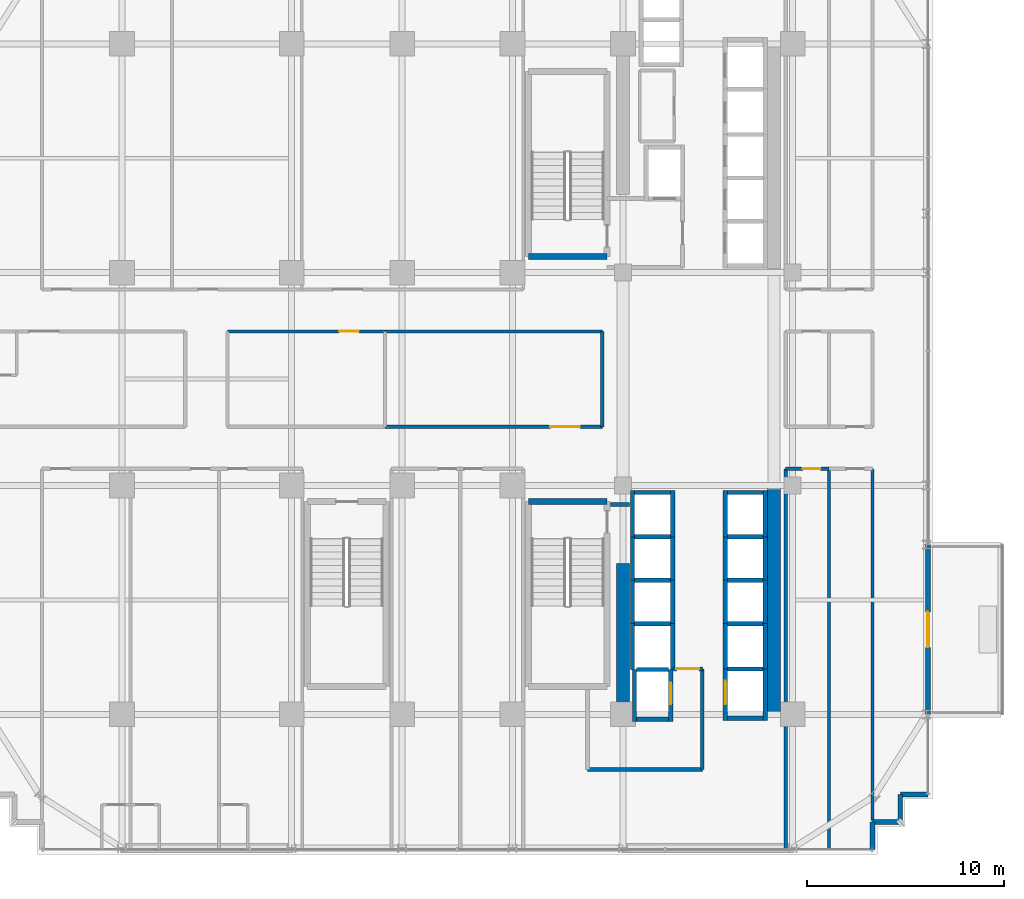
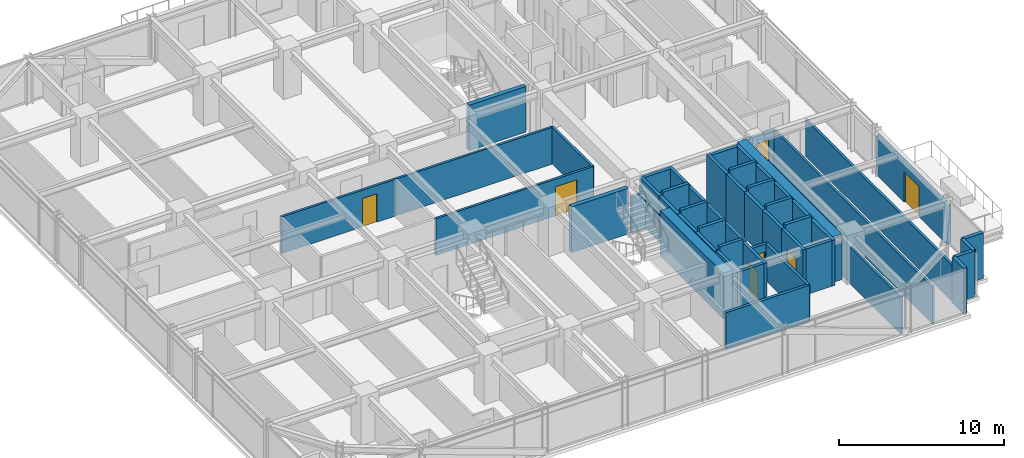
# One storey, part 34 of 41: 53 walls, 7 doors, 7 openings.
"""IFC4 building model written with IfcOpenShell, lengths in metres."""

from ifc_helpers import new_model, si_unit, direction, frame, frame_2d, origin, place, context, subcontext, project, spatial, rectangle, extrude, source, transform, mapped, material, layer, layer_set, type_object, element, fill, save


model = new_model("IFC4")

# Units and contexts
model_context = context("Model", 3, precision=1e-05, world=origin(), true_north=direction((0.0, 1.0)))
body_context = subcontext(model_context, "Body", "Model", "MODEL_VIEW")
ifc_project = project(units=[si_unit("LENGTHUNIT", "METRE"), si_unit("AREAUNIT", "SQUARE_METRE"), si_unit("VOLUMEUNIT", "CUBIC_METRE"), si_unit("PLANEANGLEUNIT", "RADIAN"), si_unit("MASSUNIT", "GRAM", prefix="KILO")], contexts=[model_context])

# Site, building, storey
site_placement = place(None, origin())
site = spatial("IfcSite", under=ifc_project, at=site_placement, CompositionType="ELEMENT")
building_placement = place(site_placement, origin())
building = spatial("IfcBuilding", under=site, at=building_placement, Name="Nahalor Promenade Grand Hotel", CompositionType="ELEMENT")
storey_placement = place(building_placement, frame((0.0, 0.0, 113.85009765625)))
storey = spatial("IfcBuildingStorey", under=building, at=storey_placement, Name="L28", CompositionType="ELEMENT", Elevation=113.85009765625)

# Walls
ifc_material_1 = material(Name="Concrete B-60 (C50/60)", Category="concrete")
ifc_layer_1 = layer(ifc_material_1, 0.64990234375)
ifc_layer_set_1 = layer_set([ifc_layer_1], Name="Concrete B-60 (C50/60)")
wall_type_1 = type_object("IfcWallType", Name="Wall-CoreShear-650", PredefinedType="SHEAR", material=ifc_layer_set_1)
shared_shape_1 = source(origin(), body_context, "Body", "SweptSolid", [
    extrude(rectangle(XDim=7.64990234375, YDim=0.64990234375, at=frame_2d((3.824951171875, 0.0))), origin(), (0.0, 0.0, 1.0), 3.3798828125),
])
wall_1_placement = place(storey_placement, frame((8.39990234375, -17.0, 0.0), z_axis=(0.0, 0.0, 1.0), x_axis=(0.0, 1.0, 0.0)))
element("IfcWall", 1, at=wall_1_placement, inside=storey, type_object=wall_type_1, Name="CWALL-L28-SW", PredefinedType="SHEAR", context=body_context, shape_type="MappedRepresentation", body=[
    mapped(shared_shape_1, transform((0.0, 0.0, 0.0), scale=1.0)),
])
shared_shape_2 = source(origin(), body_context, "Body", "SweptSolid", [
    extrude(rectangle(XDim=11.60009765625, YDim=0.64990234375, at=frame_2d((5.800048828125, 0.0))), origin(), (0.0, 0.0, 1.0), 3.3798828125),
])
wall_2_placement = place(storey_placement, frame((16.050048828125, -17.0, 0.0), z_axis=(0.0, 0.0, 1.0), x_axis=(0.0, 1.0, 0.0)))
element("IfcWall", 2, at=wall_2_placement, inside=storey, type_object=wall_type_1, Name="CWALL-L28-SE", PredefinedType="SHEAR", context=body_context, shape_type="MappedRepresentation", body=[
    mapped(shared_shape_2, transform((0.0, 0.0, 0.0), scale=1.0)),
])
ifc_material_2 = material(Name="Concrete B-50 (C40/50)", Category="concrete")
ifc_layer_2 = layer(ifc_material_2, 0.300048828125)
ifc_layer_set_2 = layer_set([ifc_layer_2], Name="Concrete B-50 (C40/50)")
wall_type_2 = type_object("IfcWallType", Name="Wall-ShaftShear-300", PredefinedType="SHEAR", material=ifc_layer_set_2)
shared_shape_3 = source(origin(), body_context, "Body", "SweptSolid", [
    extrude(rectangle(XDim=3.97998046875, YDim=0.300048828125, at=frame_2d((1.989990234375, 0.0))), origin(), (0.0, 0.0, 1.0), 3.3798828125),
])
for number, where, z_axis, x_axis, name in (
    (3, (3.610107421875, 6.2099609375, 0.0), (0.0, 0.0, 1.0), (1.0, 0.0, 0.0), "L28 Exit Stair ST1 Shaft Wall S"),
    (4, (3.610107421875, -6.2099609375, 0.0), (0.0, 0.0, 1.0), (1.0, 0.0, 0.0), "L28 Exit Stair ST2 Shaft Wall N"),
):
    element("IfcWall", number, at=place(storey_placement, frame(where, z_axis=z_axis, x_axis=x_axis)), inside=storey, type_object=wall_type_2, Name=name, PredefinedType="SHEAR", context=body_context, shape_type="MappedRepresentation", body=[
        mapped(shared_shape_3, transform((0.0, 0.0, 0.0), scale=1.0)),
    ])
ifc_layer_3 = layer(ifc_material_2, 0.219970703125)
ifc_layer_set_3 = layer_set([ifc_layer_3], Name="Concrete B-50 (C40/50)")
wall_type_3 = type_object("IfcWallType", Name="Wall-LiftShaft-220", PredefinedType="SHEAR", material=ifc_layer_set_3)
shared_shape_4 = source(origin(), body_context, "Body", "SweptSolid", [
    extrude(rectangle(XDim=1.820068359375, YDim=0.219970703125, at=frame_2d((0.91015625, 0.0))), origin(), (0.0, 0.0, 1.0), 3.64990234375),
])
for number, where, z_axis, x_axis, name in (
    (5, (13.68994140625, -8.0, 0.0), (0.0, 0.0, 1.0), (1.0, 0.0, 0.0), "L28 Lift PL6 Hoistway Wall N"),
    (6, (13.68994140625, -10.199951171875, 0.0), (0.0, 0.0, 1.0), (1.0, 0.0, 0.0), "L28 Lift PL7 Hoistway Wall N"),
    (7, (13.68994140625, -12.39990234375, 0.0), (0.0, 0.0, 1.0), (1.0, 0.0, 0.0), "L28 Lift PL8 Hoistway Wall N"),
    (8, (8.989990234375, -8.0, 0.0), (0.0, 0.0, 1.0), (1.0, 0.0, 0.0), "L28 Lift PL10 Hoistway Wall N"),
    (9, (8.989990234375, -10.199951171875, 0.0), (0.0, 0.0, 1.0), (1.0, 0.0, 0.0), "L28 Lift PL11 Hoistway Wall N"),
    (10, (8.989990234375, -12.39990234375, 0.0), (0.0, 0.0, 1.0), (1.0, 0.0, 0.0), "L28 Lift PL12 Hoistway Wall N"),
    (11, (13.68994140625, -14.699951171875, 0.0), (0.0, 0.0, 1.0), (1.0, 0.0, 0.0), "L28 Lift SV2 Hoistway Wall N"),
):
    element("IfcWall", number, at=place(storey_placement, frame(where, z_axis=z_axis, x_axis=x_axis)), inside=storey, type_object=wall_type_3, Name=name, PredefinedType="SHEAR", context=body_context, shape_type="MappedRepresentation", body=[
        mapped(shared_shape_4, transform((0.0, 0.0, 0.0), scale=1.0)),
    ])
shared_shape_5 = source(origin(), body_context, "Body", "SweptSolid", [
    extrude(rectangle(XDim=2.360107421875, YDim=0.219970703125, at=frame_2d((1.18017578125, 0.0))), origin(), (0.0, 0.0, 1.0), 3.3798828125),
])
for number, where, z_axis, x_axis, name in (
    (12, (13.580078125, -8.0, 0.0), (0.0, 0.0, 1.0), (0.0, 1.0, 0.0), "L28 Lift PL5 Hoistway Wall W"),
    (13, (15.6201171875, -8.0, 0.0), (0.0, 0.0, 1.0), (0.0, 1.0, 0.0), "L28 Lift PL5 Hoistway Wall E"),
    (14, (8.8798828125, -8.0, 0.0), (0.0, 0.0, 1.0), (0.0, 1.0, 0.0), "L28 Lift PL9 Hoistway Wall W"),
    (15, (10.919921875, -8.0, 0.0), (0.0, 0.0, 1.0), (0.0, 1.0, 0.0), "L28 Lift PL9 Hoistway Wall E"),
):
    element("IfcWall", number, at=place(storey_placement, frame(where, z_axis=z_axis, x_axis=x_axis)), inside=storey, type_object=wall_type_3, Name=name, PredefinedType="SHEAR", context=body_context, shape_type="MappedRepresentation", body=[
        mapped(shared_shape_5, transform((0.0, 0.0, 0.0), scale=1.0)),
    ])
shared_shape_6 = source(origin(), body_context, "Body", "SweptSolid", [
    extrude(rectangle(XDim=1.820068359375, YDim=0.219970703125, at=frame_2d((0.91015625, 0.0))), origin(), (0.0, 0.0, 1.0), 3.3798828125),
])
for number, where, z_axis, x_axis, name in (
    (16, (13.68994140625, -5.75, 0.0), (0.0, 0.0, 1.0), (1.0, 0.0, 0.0), "L28 Lift PL5 Hoistway Wall N"),
    (17, (8.989990234375, -5.75, 0.0), (0.0, 0.0, 1.0), (1.0, 0.0, 0.0), "L28 Lift PL9 Hoistway Wall N"),
    (18, (13.68994140625, -17.199951171875, 0.0), (0.0, 0.0, 1.0), (1.0, 0.0, 0.0), "L28 Lift SV2 Hoistway Wall S"),
):
    element("IfcWall", number, at=place(storey_placement, frame(where, z_axis=z_axis, x_axis=x_axis)), inside=storey, type_object=wall_type_3, Name=name, PredefinedType="SHEAR", context=body_context, shape_type="MappedRepresentation", body=[
        mapped(shared_shape_6, transform((0.0, 0.0, 0.0), scale=1.0)),
    ])
shared_shape_7 = source(origin(), body_context, "Body", "SweptSolid", [
    extrude(rectangle(XDim=2.199951171875, YDim=0.219970703125, at=frame_2d((1.10009765625, 0.0))), origin(), (0.0, 0.0, 1.0), 3.3798828125),
])
for number, where, z_axis, x_axis, name in (
    (19, (13.580078125, -10.199951171875, 0.0), (0.0, 0.0, 1.0), (0.0, 1.0, 0.0), "L28 Lift PL6 Hoistway Wall W"),
    (20, (15.6201171875, -10.199951171875, 0.0), (0.0, 0.0, 1.0), (0.0, 1.0, 0.0), "L28 Lift PL6 Hoistway Wall E"),
    (21, (13.580078125, -12.39990234375, 0.0), (0.0, 0.0, 1.0), (0.0, 1.0, 0.0), "L28 Lift PL7 Hoistway Wall W"),
    (22, (15.6201171875, -12.39990234375, 0.0), (0.0, 0.0, 1.0), (0.0, 1.0, 0.0), "L28 Lift PL7 Hoistway Wall E"),
    (23, (8.8798828125, -10.199951171875, 0.0), (0.0, 0.0, 1.0), (0.0, 1.0, 0.0), "L28 Lift PL10 Hoistway Wall W"),
    (24, (10.919921875, -10.199951171875, 0.0), (0.0, 0.0, 1.0), (0.0, 1.0, 0.0), "L28 Lift PL10 Hoistway Wall E"),
    (25, (8.8798828125, -12.39990234375, 0.0), (0.0, 0.0, 1.0), (0.0, 1.0, 0.0), "L28 Lift PL11 Hoistway Wall W"),
    (26, (10.919921875, -12.39990234375, 0.0), (0.0, 0.0, 1.0), (0.0, 1.0, 0.0), "L28 Lift PL11 Hoistway Wall E"),
):
    element("IfcWall", number, at=place(storey_placement, frame(where, z_axis=z_axis, x_axis=x_axis)), inside=storey, type_object=wall_type_3, Name=name, PredefinedType="SHEAR", context=body_context, shape_type="MappedRepresentation", body=[
        mapped(shared_shape_7, transform((0.0, 0.0, 0.0), scale=1.0)),
    ])
shared_shape_8 = source(origin(), body_context, "Body", "SweptSolid", [
    extrude(rectangle(XDim=2.300048828125, YDim=0.219970703125, at=frame_2d((1.14990234375, 0.0))), origin(), (0.0, 0.0, 1.0), 3.3798828125),
])
for number, where, z_axis, x_axis, name in (
    (27, (13.580078125, -14.699951171875, 0.0), (0.0, 0.0, 1.0), (0.0, 1.0, 0.0), "L28 Lift PL8 Hoistway Wall W"),
    (28, (15.6201171875, -14.699951171875, 0.0), (0.0, 0.0, 1.0), (0.0, 1.0, 0.0), "L28 Lift PL8 Hoistway Wall E"),
):
    element("IfcWall", number, at=place(storey_placement, frame(where, z_axis=z_axis, x_axis=x_axis)), inside=storey, type_object=wall_type_3, Name=name, PredefinedType="SHEAR", context=body_context, shape_type="MappedRepresentation", body=[
        mapped(shared_shape_8, transform((0.0, 0.0, 0.0), scale=1.0)),
    ])
shared_shape_9 = source(origin(), body_context, "Body", "SweptSolid", [
    extrude(rectangle(XDim=2.3251953125, YDim=0.219970703125, at=frame_2d((1.16259765625, 0.0))), origin(), (0.0, 0.0, 1.0), 3.3798828125),
])
for number, where, z_axis, x_axis, name in (
    (29, (8.8798828125, -14.72509765625, 0.0), (0.0, 0.0, 1.0), (0.0, 1.0, 0.0), "L28 Lift PL12 Hoistway Wall W"),
    (30, (10.919921875, -14.72509765625, 0.0), (0.0, 0.0, 1.0), (0.0, 1.0, 0.0), "L28 Lift PL12 Hoistway Wall E"),
):
    element("IfcWall", number, at=place(storey_placement, frame(where, z_axis=z_axis, x_axis=x_axis)), inside=storey, type_object=wall_type_3, Name=name, PredefinedType="SHEAR", context=body_context, shape_type="MappedRepresentation", body=[
        mapped(shared_shape_9, transform((0.0, 0.0, 0.0), scale=1.0)),
    ])
shared_shape_10 = source(origin(), body_context, "Body", "SweptSolid", [
    extrude(rectangle(XDim=1.619873046875, YDim=0.219970703125, at=frame_2d((0.81005859375, 0.0))), origin(), (0.0, 0.0, 1.0), 3.64990234375),
])
wall_3_placement = place(storey_placement, frame((9.090087890625, -14.72509765625, 0.0), z_axis=(0.0, 0.0, 1.0), x_axis=(1.0, 0.0, 0.0)))
element("IfcWall", 31, at=wall_3_placement, inside=storey, type_object=wall_type_3, Name="L28 Lift FL2 Hoistway Wall N", PredefinedType="SHEAR", context=body_context, shape_type="MappedRepresentation", body=[
    mapped(shared_shape_10, transform((0.0, 0.0, 0.0), scale=1.0)),
])
shared_shape_11 = source(origin(), body_context, "Body", "SweptSolid", [
    extrude(rectangle(XDim=2.635009765625, YDim=0.219970703125, at=frame_2d((1.3173828125, 0.0))), origin(), (0.0, 0.0, 1.0), 3.3798828125),
])
wall_4_placement = place(storey_placement, frame((8.97998046875, -17.360107421875, 0.0), z_axis=(0.0, 0.0, 1.0), x_axis=(0.0, 1.0, 0.0)))
element("IfcWall", 32, at=wall_4_placement, inside=storey, type_object=wall_type_3, Name="L28 Lift FL2 Hoistway Wall W", PredefinedType="SHEAR", context=body_context, shape_type="MappedRepresentation", body=[
    mapped(shared_shape_11, transform((0.0, 0.0, 0.0), scale=1.0)),
])

# Wall, opening, door
wall_5_placement = place(storey_placement, frame((10.820068359375, -17.360107421875, 0.0), z_axis=(0.0, 0.0, 1.0), x_axis=(0.0, 1.0, 0.0)))
wall_5 = element("IfcWall", 33, at=wall_5_placement, inside=storey, type_object=wall_type_3, Name="L28 Lift FL2 Hoistway Wall E", PredefinedType="SHEAR", context=body_context, shape_type="MappedRepresentation", body=[
    mapped(shared_shape_11, transform((0.0, 0.0, 0.0), scale=1.0)),
])
opening_1_placement = place(wall_5_placement, frame((0.860107421875, 0.0, 0.0)))
opening_1 = element("IfcOpeningElement", 34, at=opening_1_placement, cuts=wall_5, Name="Opening LD-02", PredefinedType="OPENING", context=body_context, shape_type="SweptSolid", body=[
    extrude(rectangle(XDim=1.10009765625, YDim=2.199951171875, at=frame_2d((0.550048828125, 1.10009765625))), frame((0.0, 0.119873046875, 0.0), z_axis=(0.0, -1.0, 0.0), x_axis=(1.0, 0.0, 0.0)), (0.0, 0.0, 1.0), 0.239990234375),
])
ifc_material_3 = material(Name="Steel S355JR", Category="steel")
door_type_1 = type_object("IfcDoorType", Name="Door-LiftFF-1100", OperationType="DOUBLE_DOOR_SLIDING", PredefinedType="DOOR", material=ifc_material_3)
shared_shape_12 = source(origin(), body_context, "Body", "SweptSolid", [
    extrude(rectangle(XDim=1.10009765625, YDim=2.199951171875, at=frame_2d((0.550048828125, 1.10009765625))), frame((0.0, 0.02490234375, 0.0), z_axis=(0.0, -1.0, 0.0), x_axis=(1.0, 0.0, 0.0)), (0.0, 0.0, 1.0), 0.050048828125),
])
door_1_placement = place(opening_1_placement, frame((1.10009765625, 0.0, 0.0), z_axis=(0.0, 0.0, 1.0), x_axis=(-1.0, 0.0, 0.0)))
door_1 = element("IfcDoor", 35, at=door_1_placement, inside=storey, type_object=door_type_1, Name="DR-LIFT-FL2-L28", OperationType="DOUBLE_DOOR_SLIDING", OverallHeight=2.199951171875, OverallWidth=1.10009765625, PredefinedType="DOOR", context=body_context, shape_type="MappedRepresentation", body=[
    mapped(shared_shape_12, transform((0.0, 0.0, 0.0), scale=1.0)),
])
fill(opening_1, door_1)

# Wall
shared_shape_13 = source(origin(), body_context, "Body", "SweptSolid", [
    extrude(rectangle(XDim=1.619873046875, YDim=0.219970703125, at=frame_2d((0.81005859375, 0.0))), origin(), (0.0, 0.0, 1.0), 3.3798828125),
])
wall_6_placement = place(storey_placement, frame((9.090087890625, -17.25, 0.0), z_axis=(0.0, 0.0, 1.0), x_axis=(1.0, 0.0, 0.0)))
element("IfcWall", 36, at=wall_6_placement, inside=storey, type_object=wall_type_3, Name="L28 Lift FL2 Hoistway Wall S", PredefinedType="SHEAR", context=body_context, shape_type="MappedRepresentation", body=[
    mapped(shared_shape_13, transform((0.0, 0.0, 0.0), scale=1.0)),
])

# Wall, opening, door
shared_shape_14 = source(origin(), body_context, "Body", "SweptSolid", [
    extrude(rectangle(XDim=2.610107421875, YDim=0.219970703125, at=frame_2d((1.30517578125, 0.0))), origin(), (0.0, 0.0, 1.0), 3.3798828125),
])
wall_7_placement = place(storey_placement, frame((13.580078125, -17.31005859375, 0.0), z_axis=(0.0, 0.0, 1.0), x_axis=(0.0, 1.0, 0.0)))
wall_7 = element("IfcWall", 37, at=wall_7_placement, inside=storey, type_object=wall_type_3, Name="L28 Lift SV2 Hoistway Wall W", PredefinedType="SHEAR", context=body_context, shape_type="MappedRepresentation", body=[
    mapped(shared_shape_14, transform((0.0, 0.0, 0.0), scale=1.0)),
])
opening_2_placement = place(wall_7_placement, frame((0.81005859375, 0.0, 0.0)))
opening_2 = element("IfcOpeningElement", 38, at=opening_2_placement, cuts=wall_7, Name="Opening LD-03", PredefinedType="OPENING", context=body_context, shape_type="SweptSolid", body=[
    extrude(rectangle(XDim=1.199951171875, YDim=2.199951171875, at=frame_2d((0.60009765625, 1.10009765625))), frame((0.0, 0.119873046875, 0.0), z_axis=(0.0, -1.0, 0.0), x_axis=(1.0, 0.0, 0.0)), (0.0, 0.0, 1.0), 0.239990234375),
])
door_type_2 = type_object("IfcDoorType", Name="Door-LiftService-1200", OperationType="DOUBLE_DOOR_SLIDING", PredefinedType="DOOR", material=ifc_material_3)
shared_shape_15 = source(origin(), body_context, "Body", "SweptSolid", [
    extrude(rectangle(XDim=1.199951171875, YDim=2.199951171875, at=frame_2d((0.60009765625, 1.10009765625))), frame((0.0, 0.02490234375, 0.0), z_axis=(0.0, -1.0, 0.0), x_axis=(1.0, 0.0, 0.0)), (0.0, 0.0, 1.0), 0.050048828125),
])
door_2_placement = place(opening_2_placement, origin())
door_2 = element("IfcDoor", 39, at=door_2_placement, inside=storey, type_object=door_type_2, Name="DR-LIFT-SV2-L28", OperationType="DOUBLE_DOOR_SLIDING", OverallHeight=2.199951171875, OverallWidth=1.199951171875, PredefinedType="DOOR", context=body_context, shape_type="MappedRepresentation", body=[
    mapped(shared_shape_15, transform((0.0, 0.0, 0.0), scale=1.0)),
])
fill(opening_2, door_2)

# Walls
wall_8_placement = place(storey_placement, frame((15.6201171875, -17.31005859375, 0.0), z_axis=(0.0, 0.0, 1.0), x_axis=(0.0, 1.0, 0.0)))
element("IfcWall", 40, at=wall_8_placement, inside=storey, type_object=wall_type_3, Name="L28 Lift SV2 Hoistway Wall E", PredefinedType="SHEAR", context=body_context, shape_type="MappedRepresentation", body=[
    mapped(shared_shape_14, transform((0.0, 0.0, 0.0), scale=1.0)),
])
ifc_material_4 = material(Name="Concrete B-40 (C32/40)", Category="concrete")
ifc_layer_4 = layer(ifc_material_4, 0.25)
ifc_layer_set_4 = layer_set([ifc_layer_4], Name="Concrete B-40 (C32/40)")
wall_type_4 = type_object("IfcWallType", Name="Wall-BronzePier-250", PredefinedType="STANDARD", material=ifc_layer_set_4)
shared_shape_16 = source(origin(), body_context, "Body", "SweptSolid", [
    extrude(rectangle(XDim=1.400146484375, YDim=0.25, at=frame_2d((0.7001953125, 0.0))), origin(), (0.0, 0.0, 1.0), 3.3798828125),
])
for number, where, z_axis, x_axis, name in (
    (41, (21.06005859375, -23.860107421875, 0.0), (0.0, 0.0, 1.0), (0.0, 1.0, 0.0), "W-L28-SR-01"),
    (42, (22.4599609375, -21.06005859375, 0.0), (0.0, 0.0, 1.0), (1.0, 0.0, 0.0), "W-L28-SR-04"),
):
    element("IfcWall", number, at=place(storey_placement, frame(where, z_axis=z_axis, x_axis=x_axis)), inside=storey, type_object=wall_type_4, Name=name, PredefinedType="STANDARD", context=body_context, shape_type="MappedRepresentation", body=[
        mapped(shared_shape_16, transform((0.0, 0.0, 0.0), scale=1.0)),
    ])
shared_shape_17 = source(origin(), body_context, "Body", "SweptSolid", [
    extrude(rectangle(XDim=1.39990234375, YDim=0.25, at=frame_2d((0.699951171875, 0.0))), origin(), (0.0, 0.0, 1.0), 3.3798828125),
])
for number, where, z_axis, x_axis, name in (
    (43, (21.06005859375, -22.4599609375, 0.0), (0.0, 0.0, 1.0), (1.0, 0.0, 0.0), "W-L28-SR-02"),
    (44, (22.4599609375, -22.4599609375, 0.0), (0.0, 0.0, 1.0), (0.0, 1.0, 0.0), "W-L28-SR-03"),
):
    element("IfcWall", number, at=place(storey_placement, frame(where, z_axis=z_axis, x_axis=x_axis)), inside=storey, type_object=wall_type_4, Name=name, PredefinedType="STANDARD", context=body_context, shape_type="MappedRepresentation", body=[
        mapped(shared_shape_17, transform((0.0, 0.0, 0.0), scale=1.0)),
    ])

# Wall, opening, door
ifc_layer_5 = layer(ifc_material_4, 0.260009765625)
ifc_layer_set_5 = layer_set([ifc_layer_5], Name="Concrete B-40 (C32/40)")
wall_type_5 = type_object("IfcWallType", Name="Wall-BalconyWall-260", PredefinedType="STANDARD", material=ifc_layer_set_5)
shared_shape_18 = source(origin(), body_context, "Body", "SweptSolid", [
    extrude(rectangle(XDim=8.60009765625, YDim=0.260009765625, at=frame_2d((4.300048828125, 0.0))), origin(), (0.0, 0.0, 1.0), 2.85986328125),
])
wall_9_placement = place(storey_placement, frame((23.860107421875, -17.0, 0.0), z_axis=(0.0, 0.0, 1.0), x_axis=(0.0, 1.0, 0.0)))
wall_9 = element("IfcWall", 45, at=wall_9_placement, inside=storey, type_object=wall_type_5, Name="W-L28-BALC-E-2", PredefinedType="STANDARD", context=body_context, shape_type="MappedRepresentation", body=[
    mapped(shared_shape_18, transform((0.0, 0.0, 0.0), scale=1.0)),
])
opening_3_placement = place(wall_9_placement, frame((3.39990234375, 0.0, 0.0)))
opening_3 = element("IfcOpeningElement", 46, at=opening_3_placement, cuts=wall_9, Name="Opening D-BC1", PredefinedType="OPENING", context=body_context, shape_type="SweptSolid", body=[
    extrude(rectangle(XDim=1.800048828125, YDim=2.25, at=frame_2d((0.89990234375, 1.125))), frame((0.0, 0.139892578125, 0.0), z_axis=(0.0, -1.0, 0.0), x_axis=(1.0, 0.0, 0.0)), (0.0, 0.0, 1.0), 0.280029296875),
])
ifc_material_5 = material(Name="Anodised Bronze Aluminium EN AW-6063 T6", Category="aluminium")
door_type_3 = type_object("IfcDoorType", Name="Door-BalconySlide-1800", OperationType="DOUBLE_DOOR_SLIDING", PredefinedType="DOOR", material=ifc_material_5)
shared_shape_19 = source(origin(), body_context, "Body", "SweptSolid", [
    extrude(rectangle(XDim=1.800048828125, YDim=2.25, at=frame_2d((0.89990234375, 1.125))), frame((0.0, 0.02490234375, 0.0), z_axis=(0.0, -1.0, 0.0), x_axis=(1.0, 0.0, 0.0)), (0.0, 0.0, 1.0), 0.050048828125),
])
door_3_placement = place(opening_3_placement, frame((1.800048828125, 0.0, 0.0), z_axis=(0.0, 0.0, 1.0), x_axis=(-1.0, 0.0, 0.0)))
door_3 = element("IfcDoor", 47, at=door_3_placement, inside=storey, type_object=door_type_3, Name="DR-L28-BALC-E-2", OperationType="DOUBLE_DOOR_SLIDING", OverallHeight=2.25, OverallWidth=1.800048828125, PredefinedType="DOOR", context=body_context, shape_type="MappedRepresentation", body=[
    mapped(shared_shape_19, transform((0.0, 0.0, 0.0), scale=1.0)),
])
fill(opening_3, door_3)

# Walls
ifc_layer_6 = layer(ifc_material_4, 0.199951171875)
ifc_layer_set_6 = layer_set([ifc_layer_6], Name="Concrete B-40 (C32/40)")
wall_type_6 = type_object("IfcWallType", Name="Wall-PartFire-200", PredefinedType="PARTITIONING", material=ifc_layer_set_6)
shared_shape_20 = source(origin(), body_context, "Body", "SweptSolid", [
    extrude(rectangle(XDim=5.81982421875, YDim=0.199951171875, at=frame_2d((2.909912109375, 0.0))), origin(), (0.0, 0.0, 1.0), 2.719970703125),
])
wall_10_placement = place(storey_placement, frame((6.60009765625, -19.800048828125, 0.0), z_axis=(0.0, 0.0, 1.0), x_axis=(1.0, 0.0, 0.0)))
element("IfcWall", 48, at=wall_10_placement, inside=storey, type_object=wall_type_6, Name="W-L28-FF2-S1", PredefinedType="PARTITIONING", context=body_context, shape_type="MappedRepresentation", body=[
    mapped(shared_shape_20, transform((0.0, 0.0, 0.0), scale=1.0)),
])
shared_shape_21 = source(origin(), body_context, "Body", "SweptSolid", [
    extrude(rectangle(XDim=5.10009765625, YDim=0.199951171875, at=frame_2d((2.550048828125, 0.0))), origin(), (0.0, 0.0, 1.0), 2.719970703125),
])
wall_11_placement = place(storey_placement, frame((12.419921875, -19.800048828125, 0.0), z_axis=(0.0, 0.0, 1.0), x_axis=(0.0, 1.0, 0.0)))
element("IfcWall", 49, at=wall_11_placement, inside=storey, type_object=wall_type_6, Name="W-L28-FF2-E", PredefinedType="PARTITIONING", context=body_context, shape_type="MappedRepresentation", body=[
    mapped(shared_shape_21, transform((0.0, 0.0, 0.0), scale=1.0)),
])

# Wall, opening, door
shared_shape_22 = source(origin(), body_context, "Body", "SweptSolid", [
    extrude(rectangle(XDim=1.4599609375, YDim=0.199951171875, at=frame_2d((0.72998046875, 0.0))), origin(), (0.0, 0.0, 1.0), 2.719970703125),
])
wall_12_placement = place(storey_placement, frame((10.9599609375, -14.699951171875, 0.0), z_axis=(0.0, 0.0, 1.0), x_axis=(1.0, 0.0, 0.0)))
wall_12 = element("IfcWall", 50, at=wall_12_placement, inside=storey, type_object=wall_type_6, Name="W-L28-FF2-N1", PredefinedType="PARTITIONING", context=body_context, shape_type="MappedRepresentation", body=[
    mapped(shared_shape_22, transform((0.0, 0.0, 0.0), scale=1.0)),
])
opening_4_placement = place(wall_12_placement, frame((0.14501953125, 0.0, 0.0)))
opening_4 = element("IfcOpeningElement", 51, at=opening_4_placement, cuts=wall_12, Name="Opening D-FF1", PredefinedType="OPENING", context=body_context, shape_type="SweptSolid", body=[
    extrude(rectangle(XDim=1.14990234375, YDim=2.14990234375, at=frame_2d((0.574951171875, 1.074951171875))), frame((0.0, 0.10986328125, 0.0), z_axis=(0.0, -1.0, 0.0), x_axis=(1.0, 0.0, 0.0)), (0.0, 0.0, 1.0), 0.219970703125),
])
door_type_4 = type_object("IfcDoorType", Name="Door-FFLobby-1150", OperationType="NOTDEFINED", PredefinedType="DOOR", material=ifc_material_3)
shared_shape_23 = source(origin(), body_context, "Body", "SweptSolid", [
    extrude(rectangle(XDim=1.14990234375, YDim=2.14990234375, at=frame_2d((0.574951171875, 1.074951171875))), frame((0.0, 0.02490234375, 0.0), z_axis=(0.0, -1.0, 0.0), x_axis=(1.0, 0.0, 0.0)), (0.0, 0.0, 1.0), 0.050048828125),
])
door_4_placement = place(opening_4_placement, origin())
door_4 = element("IfcDoor", 52, at=door_4_placement, inside=storey, type_object=door_type_4, Name="DR-L28-FFL2", OperationType="SINGLE_SWING_LEFT", OverallHeight=2.14990234375, OverallWidth=1.14990234375, PredefinedType="DOOR", context=body_context, shape_type="MappedRepresentation", body=[
    mapped(shared_shape_23, transform((0.0, 0.0, 0.0), scale=1.0)),
])
fill(opening_4, door_4)

# Walls
shared_shape_24 = source(origin(), body_context, "Body", "SweptSolid", [
    extrude(rectangle(XDim=0.969970703125, YDim=0.199951171875, at=frame_2d((0.48486328125, 0.0))), origin(), (0.0, 0.0, 1.0), 2.719970703125),
])
wall_13_placement = place(storey_placement, frame((7.77001953125, -6.35009765625, 0.0), z_axis=(0.0, 0.0, 1.0), x_axis=(1.0, 0.0, 0.0)))
element("IfcWall", 53, at=wall_13_placement, inside=storey, type_object=wall_type_6, Name="W-L28-FF2-N2", PredefinedType="PARTITIONING", context=body_context, shape_type="MappedRepresentation", body=[
    mapped(shared_shape_24, transform((0.0, 0.0, 0.0), scale=1.0)),
])
ifc_material_6 = material(Name="Acoustic Mineral Gypsum", Category="gypsum")
ifc_layer_7 = layer(ifc_material_6, 0.159912109375)
ifc_layer_set_7 = layer_set([ifc_layer_7], Name="Acoustic Mineral Gypsum")
wall_type_7 = type_object("IfcWallType", Name="Wall-PartCorridor-160", PredefinedType="PARTITIONING", material=ifc_layer_set_7)
shared_shape_25 = source(origin(), body_context, "Body", "SweptSolid", [
    extrude(rectangle(XDim=19.25, YDim=0.159912109375, at=frame_2d((9.625, 0.0))), origin(), (0.0, 0.0, 1.0), 2.719970703125),
])
for number, where, z_axis, x_axis, name in (
    (54, (16.64990234375, -23.800048828125, 0.0), (0.0, 0.0, 1.0), (0.0, 1.0, 0.0), "W-L28-ESE1-W"),
    (55, (18.85498046875, -23.800048828125, 0.0), (0.0, 0.0, 1.0), (0.0, 1.0, 0.0), "W-L28-ESE1-E"),
):
    element("IfcWall", number, at=place(storey_placement, frame(where, z_axis=z_axis, x_axis=x_axis)), inside=storey, type_object=wall_type_7, Name=name, PredefinedType="PARTITIONING", context=body_context, shape_type="MappedRepresentation", body=[
        mapped(shared_shape_25, transform((0.0, 0.0, 0.0), scale=1.0)),
    ])
shared_shape_26 = source(origin(), body_context, "Body", "SweptSolid", [
    extrude(rectangle(XDim=17.829833984375, YDim=0.159912109375, at=frame_2d((8.9150390625, 0.0))), origin(), (0.0, 0.0, 1.0), 2.719970703125),
])
wall_14_placement = place(storey_placement, frame((21.06005859375, -22.3798828125, 0.0), z_axis=(0.0, 0.0, 1.0), x_axis=(0.0, 1.0, 0.0)))
element("IfcWall", 56, at=wall_14_placement, inside=storey, type_object=wall_type_7, Name="W-L28-ESE2-E", PredefinedType="PARTITIONING", context=body_context, shape_type="MappedRepresentation", body=[
    mapped(shared_shape_26, transform((0.0, 0.0, 0.0), scale=1.0)),
])
shared_shape_27 = source(origin(), body_context, "Body", "SweptSolid", [
    extrude(rectangle(XDim=4.83984375, YDim=0.159912109375, at=frame_2d((2.419921875, 0.0))), origin(), (0.0, 0.0, 1.0), 2.719970703125),
])
wall_15_placement = place(storey_placement, frame((7.35009765625, -2.419921875, 0.0), z_axis=(0.0, 0.0, 1.0), x_axis=(0.0, 1.0, 0.0)))
element("IfcWall", 57, at=wall_15_placement, inside=storey, type_object=wall_type_7, Name="W-L28-CM2-E", PredefinedType="PARTITIONING", context=body_context, shape_type="MappedRepresentation", body=[
    mapped(shared_shape_27, transform((0.0, 0.0, 0.0), scale=1.0)),
])

# Wall, opening, door
shared_shape_28 = source(origin(), body_context, "Body", "SweptSolid", [
    extrude(rectangle(XDim=2.205078125, YDim=0.159912109375, at=frame_2d((1.1025390625, 0.0))), origin(), (0.0, 0.0, 1.0), 2.719970703125),
])
wall_16_placement = place(storey_placement, frame((16.64990234375, -4.550048828125, 0.0), z_axis=(0.0, 0.0, 1.0), x_axis=(1.0, 0.0, 0.0)))
wall_16 = element("IfcWall", 58, at=wall_16_placement, inside=storey, type_object=wall_type_7, Name="W-L28-ESE1-N", PredefinedType="PARTITIONING", context=body_context, shape_type="MappedRepresentation", body=[
    mapped(shared_shape_28, transform((0.0, 0.0, 0.0), scale=1.0)),
])
opening_5_placement = place(wall_16_placement, frame((0.875, 0.0, 0.0)))
opening_5 = element("IfcOpeningElement", 59, at=opening_5_placement, cuts=wall_16, Name="Opening D-03", PredefinedType="OPENING", context=body_context, shape_type="SweptSolid", body=[
    extrude(rectangle(XDim=0.8798828125, YDim=2.10009765625, at=frame_2d((0.43994140625, 1.050048828125))), frame((0.0, 0.08984375, 0.0), z_axis=(0.0, -1.0, 0.0), x_axis=(1.0, 0.0, 0.0)), (0.0, 0.0, 1.0), 0.179931640625),
])
ifc_material_7 = material(Name="Fire-Rated Timber Composite", Category="wood")
door_type_5 = type_object("IfcDoorType", Name="Door-BathSwing-880", OperationType="NOTDEFINED", PredefinedType="DOOR", material=ifc_material_7)
shared_shape_29 = source(origin(), body_context, "Body", "SweptSolid", [
    extrude(rectangle(XDim=0.8798828125, YDim=2.10009765625, at=frame_2d((0.43994140625, 1.050048828125))), frame((0.0, 0.02490234375, 0.0), z_axis=(0.0, -1.0, 0.0), x_axis=(1.0, 0.0, 0.0)), (0.0, 0.0, 1.0), 0.050048828125),
])
door_5_placement = place(opening_5_placement, frame((0.8798828125, 0.0, 0.0), z_axis=(0.0, 0.0, 1.0), x_axis=(-1.0, 0.0, 0.0)))
door_5 = element("IfcDoor", 60, at=door_5_placement, inside=storey, type_object=door_type_5, Name="DR-L28-ESE1", OperationType="SINGLE_SWING_LEFT", OverallHeight=2.10009765625, OverallWidth=0.8798828125, PredefinedType="DOOR", context=body_context, shape_type="MappedRepresentation", body=[
    mapped(shared_shape_29, transform((0.0, 0.0, 0.0), scale=1.0)),
])
fill(opening_5, door_5)

shared_shape_30 = source(origin(), body_context, "Body", "SweptSolid", [
    extrude(rectangle(XDim=7.97998046875, YDim=0.159912109375, at=frame_2d((3.989990234375, 0.0))), origin(), (0.0, 0.0, 1.0), 2.719970703125),
])
wall_17_placement = place(storey_placement, frame((-11.64990234375, 2.419921875, 0.0), z_axis=(0.0, 0.0, 1.0), x_axis=(1.0, 0.0, 0.0)))
wall_17 = element("IfcWall", 61, at=wall_17_placement, inside=storey, type_object=wall_type_7, Name="W-L28-CM1-N", PredefinedType="PARTITIONING", context=body_context, shape_type="MappedRepresentation", body=[
    mapped(shared_shape_30, transform((0.0, 0.0, 0.0), scale=1.0)),
])
opening_6_placement = place(wall_17_placement, frame((5.653076171875, 0.0, 0.0)))
opening_6 = element("IfcOpeningElement", 62, at=opening_6_placement, cuts=wall_17, Name="Opening D-04", PredefinedType="OPENING", context=body_context, shape_type="SweptSolid", body=[
    extrude(rectangle(XDim=1.0, YDim=2.10009765625, at=frame_2d((0.5, 1.050048828125))), frame((0.0, 0.08984375, 0.0), z_axis=(0.0, -1.0, 0.0), x_axis=(1.0, 0.0, 0.0)), (0.0, 0.0, 1.0), 0.179931640625),
])
door_type_6 = type_object("IfcDoorType", Name="Door-ServiceFire-1000", OperationType="NOTDEFINED", PredefinedType="DOOR", material=ifc_material_3)
shared_shape_31 = source(origin(), body_context, "Body", "SweptSolid", [
    extrude(rectangle(XDim=1.0, YDim=2.10009765625, at=frame_2d((0.5, 1.050048828125))), frame((0.0, 0.02490234375, 0.0), z_axis=(0.0, -1.0, 0.0), x_axis=(1.0, 0.0, 0.0)), (0.0, 0.0, 1.0), 0.050048828125),
])
door_6_placement = place(opening_6_placement, frame((1.0, 0.0, 0.0), z_axis=(0.0, 0.0, 1.0), x_axis=(-1.0, 0.0, 0.0)))
door_6 = element("IfcDoor", 63, at=door_6_placement, inside=storey, type_object=door_type_6, Name="DR-L28-CM1", OperationType="SINGLE_SWING_LEFT", OverallHeight=2.10009765625, OverallWidth=1.0, PredefinedType="DOOR", context=body_context, shape_type="MappedRepresentation", body=[
    mapped(shared_shape_31, transform((0.0, 0.0, 0.0), scale=1.0)),
])
fill(opening_6, door_6)

shared_shape_32 = source(origin(), body_context, "Body", "SweptSolid", [
    extrude(rectangle(XDim=11.02001953125, YDim=0.159912109375, at=frame_2d((5.510009765625, 0.0))), origin(), (0.0, 0.0, 1.0), 2.719970703125),
])
wall_18_placement = place(storey_placement, frame((-3.669921875, -2.419921875, 0.0), z_axis=(0.0, 0.0, 1.0), x_axis=(1.0, 0.0, 0.0)))
wall_18 = element("IfcWall", 64, at=wall_18_placement, inside=storey, type_object=wall_type_7, Name="W-L28-CM2-S", PredefinedType="PARTITIONING", context=body_context, shape_type="MappedRepresentation", body=[
    mapped(shared_shape_32, transform((0.0, 0.0, 0.0), scale=1.0)),
])
opening_7_placement = place(wall_18_placement, frame((8.383056640625, 0.0, 0.0)))
opening_7 = element("IfcOpeningElement", 65, at=opening_7_placement, cuts=wall_18, Name="Opening D-02", PredefinedType="OPENING", context=body_context, shape_type="SweptSolid", body=[
    extrude(rectangle(XDim=1.5, YDim=2.14990234375, at=frame_2d((0.75, 1.074951171875))), frame((0.0, 0.08984375, 0.0), z_axis=(0.0, -1.0, 0.0), x_axis=(1.0, 0.0, 0.0)), (0.0, 0.0, 1.0), 0.179931640625),
])
door_type_7 = type_object("IfcDoorType", Name="Door-SuiteDouble-1500", OperationType="DOUBLE_DOOR_SINGLE_SWING", PredefinedType="DOOR", material=ifc_material_7)
shared_shape_33 = source(origin(), body_context, "Body", "SweptSolid", [
    extrude(rectangle(XDim=1.5, YDim=2.14990234375, at=frame_2d((0.75, 1.074951171875))), frame((0.0, 0.02490234375, 0.0), z_axis=(0.0, -1.0, 0.0), x_axis=(1.0, 0.0, 0.0)), (0.0, 0.0, 1.0), 0.050048828125),
])
door_7_placement = place(opening_7_placement, origin())
door_7 = element("IfcDoor", 66, at=door_7_placement, inside=storey, type_object=door_type_7, Name="DR-L28-CM2", OperationType="DOUBLE_DOOR_SINGLE_SWING", OverallHeight=2.14990234375, OverallWidth=1.5, PredefinedType="DOOR", context=body_context, shape_type="MappedRepresentation", body=[
    mapped(shared_shape_33, transform((0.0, 0.0, 0.0), scale=1.0)),
])
fill(opening_7, door_7)

# Wall
wall_19_placement = place(storey_placement, frame((-3.669921875, 2.419921875, 0.0), z_axis=(0.0, 0.0, 1.0), x_axis=(1.0, 0.0, 0.0)))
element("IfcWall", 67, at=wall_19_placement, inside=storey, type_object=wall_type_7, Name="W-L28-CM2-N", PredefinedType="PARTITIONING", context=body_context, shape_type="MappedRepresentation", body=[
    mapped(shared_shape_32, transform((0.0, 0.0, 0.0), scale=1.0)),
])

save(model, "model.ifc")
